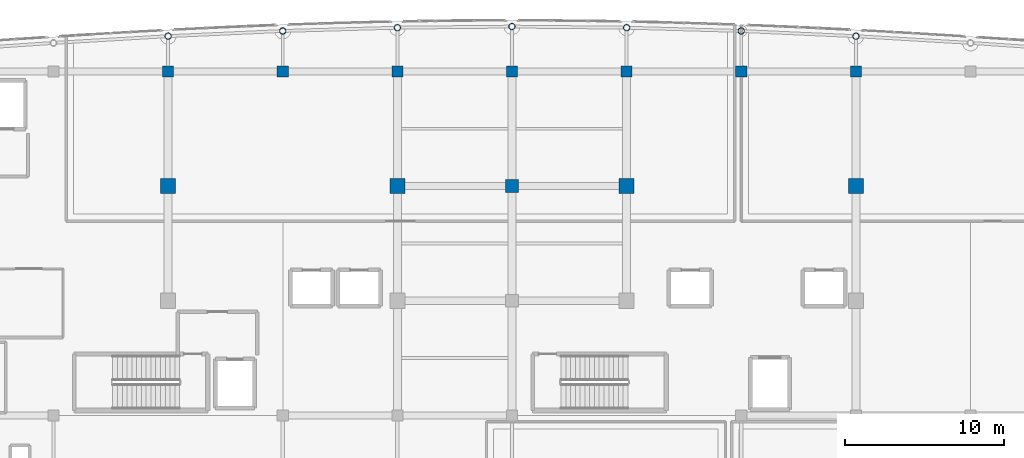
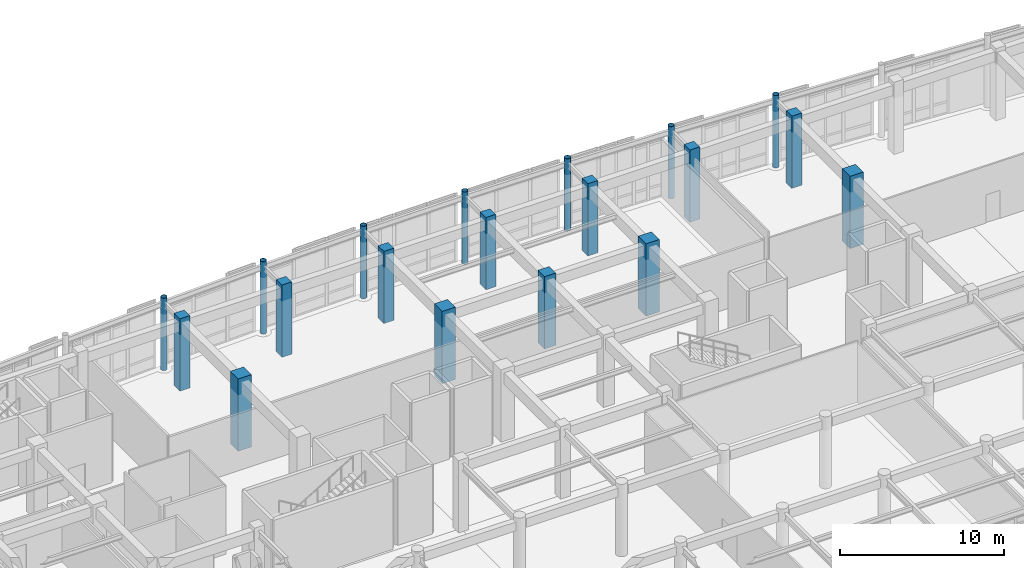
# One storey, part 11 of 102: 19 columns.
"""IFC4 building model written with IfcOpenShell, lengths in metres."""

from ifc_helpers import new_model, si_unit, direction, frame, origin, origin_2d, place, context, subcontext, project, spatial, rectangle, hollow_circle, extrude, material, material_profile, profile_set, type_object, element, save


model = new_model("IFC4")

# Units and contexts
model_context = context("Model", 3, precision=1e-05, world=origin(), true_north=direction((0.0, 1.0)))
body_context = subcontext(model_context, "Body", "Model", "MODEL_VIEW")
ifc_project = project(units=[si_unit("LENGTHUNIT", "METRE"), si_unit("AREAUNIT", "SQUARE_METRE"), si_unit("VOLUMEUNIT", "CUBIC_METRE"), si_unit("PLANEANGLEUNIT", "RADIAN"), si_unit("MASSUNIT", "GRAM", prefix="KILO")], contexts=[model_context])

# Site, building, storey
site_placement = place(None, origin())
site = spatial("IfcSite", under=ifc_project, at=site_placement, CompositionType="ELEMENT")
building_placement = place(site_placement, origin())
building = spatial("IfcBuilding", under=site, at=building_placement, Name="Carrowvane Square Congress Hotel", CompositionType="ELEMENT")
storey_placement = place(building_placement, origin())
storey = spatial("IfcBuildingStorey", under=building, at=storey_placement, Name="L00", CompositionType="ELEMENT", Elevation=0.0)

# Columns
ifc_material_1 = material(Name="Concrete C40/50", Category="concrete")
ifc_material_profile_1 = material_profile(ifc_material_1, rectangle(XDim=0.699951171875, YDim=0.699951171875, at=origin_2d()), Name="RC 700x700")
ifc_profile_set_1 = profile_set([ifc_material_profile_1], Name="Concrete C40/50")
column_type_1 = type_object("IfcColumnType", Name="COL-RC-700", PredefinedType="COLUMN", material=ifc_profile_set_1)
for number, where, z_axis, x_axis, name in (
    (1, (76.39990234375, 113.39990234375, 0.0), (0.0, 0.0, 1.0), (1.0, 0.0, 0.0), "L00 column 10/R"),
    (2, (83.60009765625, 113.39990234375, 0.0), (0.0, 0.0, 1.0), (1.0, 0.0, 0.0), "L00 column 11/R"),
    (3, (90.800048828125, 113.39990234375, 0.0), (0.0, 0.0, 1.0), (1.0, 0.0, 0.0), "L00 column 12/R"),
    (4, (98.0, 113.39990234375, 0.0), (0.0, 0.0, 1.0), (1.0, 0.0, 0.0), "L00 column 13/R"),
    (5, (105.199951171875, 113.39990234375, 0.0), (0.0, 0.0, 1.0), (1.0, 0.0, 0.0), "L00 column 14/R"),
    (6, (112.39990234375, 113.39990234375, 0.0), (0.0, 0.0, 1.0), (1.0, 0.0, 0.0), "L00 column 15/R"),
    (7, (119.60009765625, 113.39990234375, 0.0), (0.0, 0.0, 1.0), (1.0, 0.0, 0.0), "L00 column 16/R"),
):
    element("IfcColumn", number, at=place(storey_placement, frame(where, z_axis=z_axis, x_axis=x_axis)), inside=storey, type_object=column_type_1, Name=name, PredefinedType="COLUMN", context=body_context, shape_type="SweptSolid", body=[
        extrude(rectangle(XDim=0.699951171875, YDim=0.699951171875, at=origin_2d()), origin(), (0.0, 0.0, 1.0), 5.39990234375),
    ])
ifc_material_2 = material(Name="Concrete C40/50", Category="concrete")
ifc_material_profile_2 = material_profile(ifc_material_2, rectangle(XDim=0.800048828125, YDim=0.800048828125, at=origin_2d()), Name="RC 800x800")
ifc_profile_set_2 = profile_set([ifc_material_profile_2], Name="Concrete C40/50")
column_type_2 = type_object("IfcColumnType", Name="COL-RC-800", PredefinedType="COLUMN", material=ifc_profile_set_2)
column_placement = place(storey_placement, frame((98.0, 106.199951171875, 0.0), z_axis=(0.0, 0.0, 1.0), x_axis=(1.0, 0.0, 0.0)))
element("IfcColumn", 8, at=column_placement, inside=storey, type_object=column_type_2, Name="L00 column 13/Q", PredefinedType="COLUMN", context=body_context, shape_type="SweptSolid", body=[
    extrude(rectangle(XDim=0.800048828125, YDim=0.800048828125, at=origin_2d()), origin(), (0.0, 0.0, 1.0), 5.39990234375),
])
ifc_material_3 = material(Name="Steel S355", Category="steel")
ifc_material_profile_3 = material_profile(ifc_material_3, hollow_circle(Radius=0.203125, WallThickness=0.02001953125, at=origin_2d()), Name="CHS 406.4x20")
ifc_profile_set_3 = profile_set([ifc_material_profile_3], Name="Steel S355")
column_type_3 = type_object("IfcColumnType", Name="COL-ST-CHS406", PredefinedType="COLUMN", material=ifc_profile_set_3)
for number, where, z_axis, x_axis, name in (
    (9, (76.39990234375, 115.61767578125, 0.0), (0.0, 0.0, 1.0), (1.0, 0.0, 0.0), "L00 column 10/ARC"),
    (10, (83.60009765625, 115.944091796875, 0.0), (0.0, 0.0, 1.0), (1.0, 0.0, 0.0), "L00 column 11/ARC"),
    (11, (90.800048828125, 116.14990234375, 0.0), (0.0, 0.0, 1.0), (1.0, 0.0, 0.0), "L00 column 12/ARC"),
    (12, (98.0, 116.219970703125, 0.0), (0.0, 0.0, 1.0), (1.0, 0.0, 0.0), "L00 column 13/ARC"),
    (13, (105.199951171875, 116.14990234375, 0.0), (0.0, 0.0, 1.0), (1.0, 0.0, 0.0), "L00 column 14/ARC"),
    (14, (112.39990234375, 115.944091796875, 0.0), (0.0, 0.0, 1.0), (1.0, 0.0, 0.0), "L00 column 15/ARC"),
    (15, (119.60009765625, 115.61767578125, 0.0), (0.0, 0.0, 1.0), (1.0, 0.0, 0.0), "L00 column 16/ARC"),
):
    element("IfcColumn", number, at=place(storey_placement, frame(where, z_axis=z_axis, x_axis=x_axis)), inside=storey, type_object=column_type_3, Name=name, PredefinedType="COLUMN", context=body_context, shape_type="SweptSolid", body=[
        extrude(hollow_circle(Radius=0.203125, WallThickness=0.02001953125, at=origin_2d()), origin(), (0.0, 0.0, 1.0), 5.39990234375),
    ])
ifc_material_4 = material(Name="Concrete C40/50", Category="concrete")
ifc_material_profile_4 = material_profile(ifc_material_4, rectangle(XDim=0.949951171875, YDim=0.949951171875, at=origin_2d()), Name="RC 950x950")
ifc_profile_set_4 = profile_set([ifc_material_profile_4], Name="Concrete C40/50")
column_type_4 = type_object("IfcColumnType", Name="MCOL-RC-1000", PredefinedType="COLUMN", material=ifc_profile_set_4)
for number, where, z_axis, x_axis, name in (
    (16, (76.39990234375, 106.199951171875, 0.0), (0.0, 0.0, 1.0), (1.0, 0.0, 0.0), "L00 column 10/Q"),
    (17, (90.800048828125, 106.199951171875, 0.0), (0.0, 0.0, 1.0), (1.0, 0.0, 0.0), "L00 column 12/Q"),
    (18, (105.199951171875, 106.199951171875, 0.0), (0.0, 0.0, 1.0), (1.0, 0.0, 0.0), "L00 column 14/Q"),
    (19, (119.60009765625, 106.199951171875, 0.0), (0.0, 0.0, 1.0), (1.0, 0.0, 0.0), "L00 column 16/Q"),
):
    element("IfcColumn", number, at=place(storey_placement, frame(where, z_axis=z_axis, x_axis=x_axis)), inside=storey, type_object=column_type_4, Name=name, PredefinedType="COLUMN", context=body_context, shape_type="SweptSolid", body=[
        extrude(rectangle(XDim=0.949951171875, YDim=0.949951171875, at=origin_2d()), origin(), (0.0, 0.0, 1.0), 5.39990234375),
    ])

save(model, "model.ifc")
